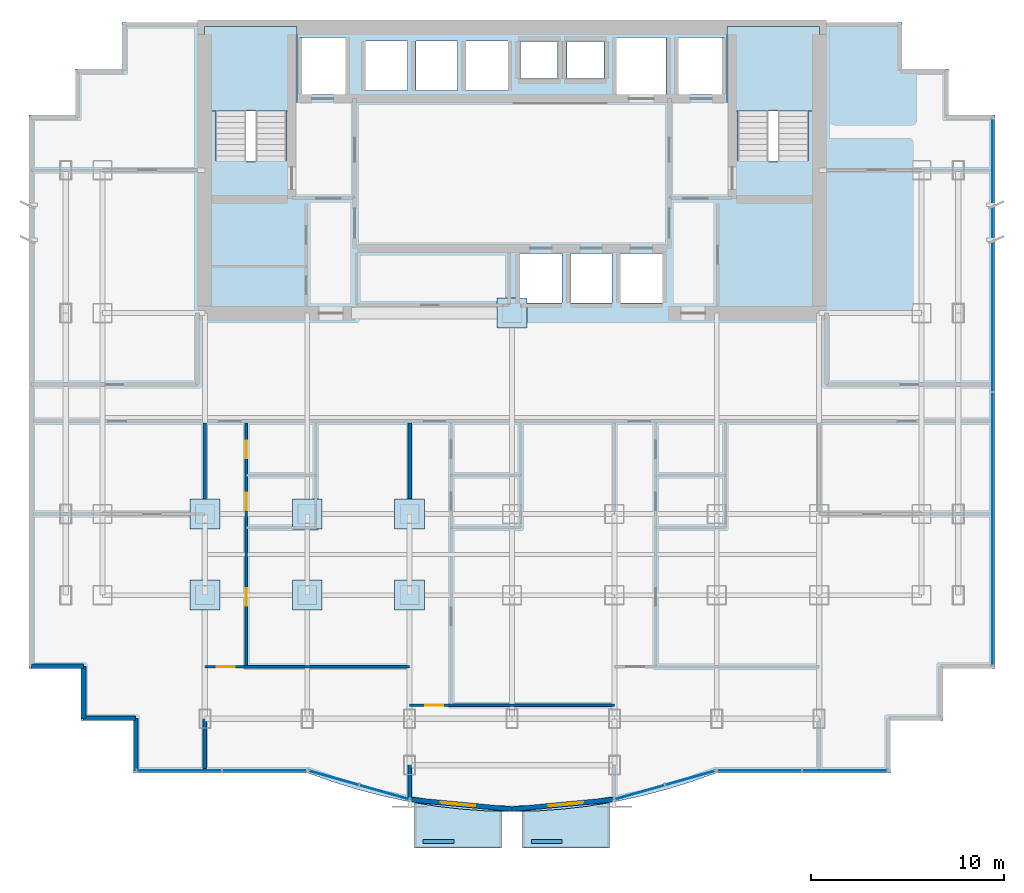
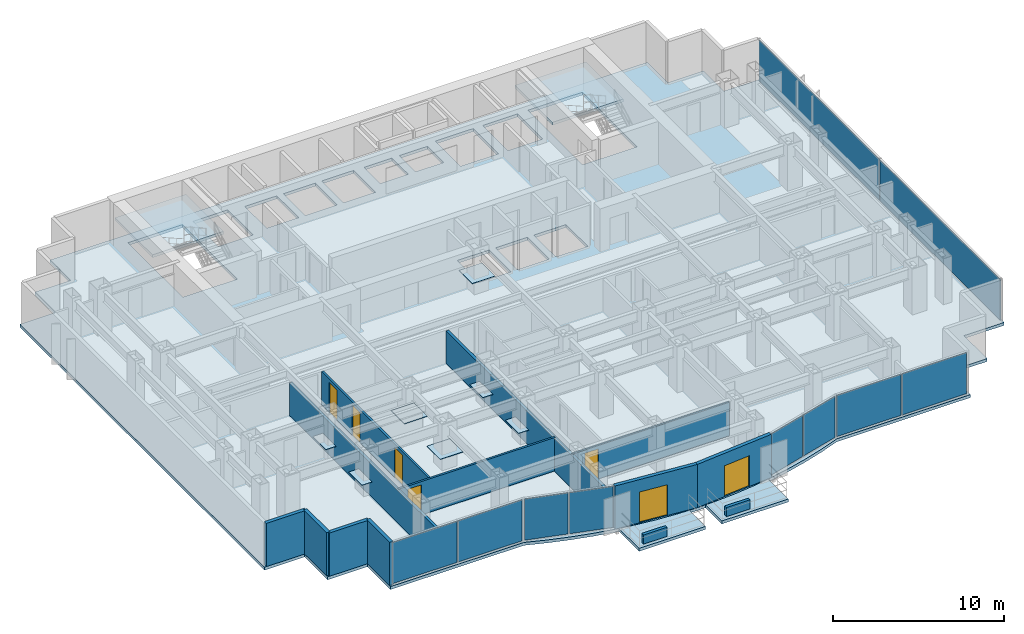
# One storey, part 6 of 11: 17 plates, 13 walls, 7 doors, 5 slabs, 7 openings, 7 elements without a shape of their own.
"""IFC4 building model written with IfcOpenShell, lengths in metres."""

from ifc_helpers import new_model, si_unit, direction, frame, frame_2d, origin, origin_2d, place, context, subcontext, project, spatial, polyline, rectangle, outline, extrude, source, transform, mapped, material, layer, layer_set, type_object, element, fill, aggregate, save


model = new_model("IFC4")

# Units and contexts
model_context = context("Model", 3, precision=1e-05, world=origin(), true_north=direction((0.0, 1.0)))
body_context = subcontext(model_context, "Body", "Model", "MODEL_VIEW")
ifc_project = project(units=[si_unit("LENGTHUNIT", "METRE"), si_unit("AREAUNIT", "SQUARE_METRE"), si_unit("VOLUMEUNIT", "CUBIC_METRE"), si_unit("PLANEANGLEUNIT", "RADIAN"), si_unit("MASSUNIT", "GRAM", prefix="KILO")], contexts=[model_context])

# Site, building, storey
site_placement = place(None, origin())
site = spatial("IfcSite", under=ifc_project, at=site_placement, CompositionType="ELEMENT")
building_placement = place(site_placement, origin())
building = spatial("IfcBuilding", under=site, at=building_placement, Name="Qianlan Lanfeng Residences", CompositionType="ELEMENT")
storey_placement = place(building_placement, frame((0.0, 0.0, 104.800048828125)))
storey = spatial("IfcBuildingStorey", under=building, at=storey_placement, Name="L28", CompositionType="ELEMENT", Elevation=104.800048828125)

# Slabs
ifc_material_1 = material(Name="Concrete C42", Category="concrete")
ifc_layer_1 = layer(ifc_material_1, 0.2099609375)
ifc_layer_set_1 = layer_set([ifc_layer_1], Name="Concrete C42")
slab_type_1 = type_object("IfcSlabType", Name="S-BAL-210", PredefinedType="FLOOR", material=ifc_layer_set_1)
slab_1_placement = place(storey_placement, frame((0.0, 0.0, -0.2099609375)))
element("IfcSlab", 1, at=slab_1_placement, inside=storey, type_object=slab_type_1, Name="L28 Planted Tree Balcony Slab SB-W", PredefinedType="FLOOR", context=body_context, shape_type="SweptSolid", body=[
    extrude(outline(polyline([(25.949951171875, -0.5869140625), (25.177001953125, -0.569091796875), (23.85498046875, -0.47509765625), (22.531982421875, -0.319091796875), (21.449951171875, -0.139892578125), (21.449951171875, -2.5), (25.949951171875, -2.5), (25.949951171875, -0.5869140625)])), origin(), (0.0, 0.0, 1.0), 0.2099609375),
])
slab_2_placement = place(storey_placement, frame((0.0, 0.0, -0.2099609375)))
element("IfcSlab", 2, at=slab_2_placement, inside=storey, type_object=slab_type_1, Name="L28 Planted Tree Balcony Slab SB-E", PredefinedType="FLOOR", context=body_context, shape_type="SweptSolid", body=[
    extrude(outline(polyline([(31.550048828125, -0.139892578125), (30.467041015625, -0.319091796875), (29.14501953125, -0.47509765625), (27.822021484375, -0.569091796875), (27.050048828125, -0.5869140625), (27.050048828125, -2.5), (31.550048828125, -2.5), (31.550048828125, -0.139892578125)])), origin(), (0.0, 0.0, 1.0), 0.2099609375),
])
ifc_layer_2 = layer(ifc_material_1, 0.2099609375)
ifc_layer_set_2 = layer_set([ifc_layer_2], Name="Concrete C42")
slab_type_2 = type_object("IfcSlabType", Name="S-FL-210", PredefinedType="FLOOR", material=ifc_layer_set_2)
slab_3_placement = place(storey_placement, frame((0.0, 0.0, -0.2099609375)))
element("IfcSlab", 3, at=slab_3_placement, inside=storey, type_object=slab_type_2, Name="L28 Structural Floor Slab", PredefinedType="FLOOR", context=body_context, shape_type="SweptSolid", body=[
    extrude(outline(polyline([(1.5, 6.800048828125), (4.199951171875, 6.800048828125), (4.199951171875, 4.10009765625), (6.89990234375, 4.10009765625), (6.89990234375, 1.39990234375), (15.919921875, 1.39990234375), (17.241943359375, 0.930908203125), (18.56494140625, 0.52490234375), (19.886962890625, 0.180908203125), (21.2099609375, -0.10009765625), (22.531982421875, -0.319091796875), (23.85498046875, -0.47509765625), (25.177001953125, -0.569091796875), (26.5, -0.60009765625), (27.822021484375, -0.569091796875), (29.14501953125, -0.47509765625), (30.467041015625, -0.319091796875), (31.7900390625, -0.10009765625), (33.112060546875, 0.180908203125), (34.43505859375, 0.52490234375), (35.758056640625, 0.930908203125), (37.080078125, 1.39990234375), (46.10009765625, 1.39990234375), (46.10009765625, 4.10009765625), (48.800048828125, 4.10009765625), (48.800048828125, 6.800048828125), (51.5, 6.800048828125), (51.5, 35.449951171875), (49.10009765625, 35.449951171875), (49.10009765625, 37.85009765625), (46.699951171875, 37.85009765625), (46.699951171875, 40.25), (6.300048828125, 40.25), (6.300048828125, 37.85009765625), (3.89990234375, 37.85009765625), (3.89990234375, 35.449951171875), (1.5, 35.449951171875), (1.5, 6.800048828125)]), holes=[polyline([(11.139892578125, 33.080078125), (11.139892578125, 39.5), (14.820068359375, 39.5), (14.820068359375, 33.080078125), (11.139892578125, 33.080078125)]), polyline([(38.179931640625, 33.080078125), (38.179931640625, 39.5), (41.860107421875, 39.5), (41.860107421875, 33.080078125), (38.179931640625, 33.080078125)]), polyline([(15.52001953125, 36.52001953125), (15.52001953125, 39.47998046875), (17.8798828125, 39.47998046875), (17.8798828125, 36.52001953125), (15.52001953125, 36.52001953125)]), polyline([(35.1201171875, 36.52001953125), (35.1201171875, 39.47998046875), (37.47998046875, 39.47998046875), (37.47998046875, 36.52001953125), (35.1201171875, 36.52001953125)]), polyline([(31.919921875, 36.52001953125), (31.919921875, 39.47998046875), (34.47998046875, 39.47998046875), (34.47998046875, 36.52001953125), (31.919921875, 36.52001953125)]), polyline([(26.919921875, 25.719970703125), (26.919921875, 28.280029296875), (29.080078125, 28.280029296875), (29.080078125, 25.719970703125), (26.919921875, 25.719970703125)]), polyline([(29.52001953125, 25.719970703125), (29.52001953125, 28.280029296875), (31.679931640625, 28.280029296875), (31.679931640625, 25.719970703125), (29.52001953125, 25.719970703125)]), polyline([(32.1201171875, 25.719970703125), (32.1201171875, 28.280029296875), (34.280029296875, 28.280029296875), (34.280029296875, 25.719970703125), (32.1201171875, 25.719970703125)]), polyline([(18.919921875, 36.719970703125), (18.919921875, 39.280029296875), (21.080078125, 39.280029296875), (21.080078125, 36.719970703125), (18.919921875, 36.719970703125)]), polyline([(21.52001953125, 36.719970703125), (21.52001953125, 39.280029296875), (23.679931640625, 39.280029296875), (23.679931640625, 36.719970703125), (21.52001953125, 36.719970703125)]), polyline([(24.1201171875, 36.719970703125), (24.1201171875, 39.280029296875), (26.280029296875, 39.280029296875), (26.280029296875, 36.719970703125), (24.1201171875, 36.719970703125)]), polyline([(26.949951171875, 37.35009765625), (26.949951171875, 39.25), (28.85009765625, 39.25), (28.85009765625, 37.35009765625), (26.949951171875, 37.35009765625)]), polyline([(29.35009765625, 37.35009765625), (29.35009765625, 39.25), (31.25, 39.25), (31.25, 37.35009765625), (29.35009765625, 37.35009765625)])]), origin(), (0.0, 0.0, 1.0), 0.2099609375),
])

# Stair, slab
stair_type = type_object("IfcStairType", Name="STR-MAIN", PredefinedType="HALF_TURN_STAIR", material=ifc_material_1)
stair_1_placement = place(storey_placement, origin())
stair_1 = element("IfcStair", 4, at=stair_1_placement, inside=storey, type_object=stair_type, Name="L28 Exit Stair ST-1", PredefinedType="HALF_TURN_STAIR")
ifc_layer_3 = layer(ifc_material_1, 0.179931640625)
ifc_layer_set_3 = layer_set([ifc_layer_3], Name="Concrete C42")
slab_type_3 = type_object("IfcSlabType", Name="S-LND-180", PredefinedType="LANDING", material=ifc_layer_set_3)
slab_4_placement = place(storey_placement, frame((0.0, 0.0, 1.449951171875)))
slab_4 = element("IfcSlab", 5, at=slab_4_placement, type_object=slab_type_3, Name="ST-1 landing 1", PredefinedType="LANDING", context=body_context, shape_type="SweptSolid", body=[
    extrude(outline(polyline([(10.580078125, 35.659912109375), (15.3798828125, 35.659912109375), (15.3798828125, 40.050048828125), (10.580078125, 40.050048828125), (10.580078125, 35.659912109375)])), origin(), (0.0, 0.0, 1.0), 0.199951171875),
])
aggregate(stair_1, [slab_4])

stair_2_placement = place(storey_placement, origin())
stair_2 = element("IfcStair", 6, at=stair_2_placement, inside=storey, type_object=stair_type, Name="L28 Exit Stair ST-2", PredefinedType="HALF_TURN_STAIR")
slab_5_placement = place(storey_placement, frame((0.0, 0.0, 1.449951171875)))
slab_5 = element("IfcSlab", 7, at=slab_5_placement, type_object=slab_type_3, Name="ST-2 landing 1", PredefinedType="LANDING", context=body_context, shape_type="SweptSolid", body=[
    extrude(outline(polyline([(37.6201171875, 35.659912109375), (42.419921875, 35.659912109375), (42.419921875, 40.050048828125), (37.6201171875, 40.050048828125), (37.6201171875, 35.659912109375)])), origin(), (0.0, 0.0, 1.0), 0.199951171875),
])
aggregate(stair_2, [slab_5])

# Plates
ifc_material_2 = material(Name="Steel SN490B", Category="steel")
ifc_layer_4 = layer(ifc_material_2, 0.031982421875)
ifc_layer_set_4 = layer_set([ifc_layer_4], Name="Steel SN490B")
plate_type_1 = type_object("IfcPlateType", Name="NP-CAP-32", PredefinedType="USERDEFINED", material=ifc_layer_set_4)
shared_shape_1 = source(origin(), body_context, "Body", "SweptSolid", [
    extrude(rectangle(XDim=1.550048828125, YDim=1.550048828125, at=origin_2d()), origin(), (0.0, 0.0, 1.0), 0.031982421875),
])
for number, where, z_axis, x_axis, name in (
    (8, (26.5, 25.199951171875, 1.083984375), (0.0, 0.0, 1.0), (1.0, 0.0, 0.0), "L28 Column Splice Cap Plate 1"),
    (9, (10.60009765625, 14.800048828125, 1.083984375), (0.0, 0.0, 1.0), (1.0, 0.0, 0.0), "L28 Column Splice Cap Plate 2"),
    (10, (10.60009765625, 10.60009765625, 1.083984375), (0.0, 0.0, 1.0), (1.0, 0.0, 0.0), "L28 Column Splice Cap Plate 3"),
    (11, (15.89990234375, 14.800048828125, 1.083984375), (0.0, 0.0, 1.0), (1.0, 0.0, 0.0), "L28 Column Splice Cap Plate 4"),
    (12, (15.89990234375, 10.60009765625, 1.083984375), (0.0, 0.0, 1.0), (1.0, 0.0, 0.0), "L28 Column Splice Cap Plate 5"),
    (13, (21.199951171875, 14.800048828125, 1.083984375), (0.0, 0.0, 1.0), (1.0, 0.0, 0.0), "L28 Column Splice Cap Plate 6"),
    (14, (21.199951171875, 10.60009765625, 1.083984375), (0.0, 0.0, 1.0), (1.0, 0.0, 0.0), "L28 Column Splice Cap Plate 7"),
):
    element("IfcPlate", number, at=place(storey_placement, frame(where, z_axis=z_axis, x_axis=x_axis)), inside=storey, type_object=plate_type_1, Name=name, ObjectType="SPLICE_PLATE", PredefinedType="USERDEFINED", context=body_context, shape_type="MappedRepresentation", body=[
        mapped(shared_shape_1, transform((0.0, 0.0, 0.0), scale=1.0)),
    ])

# Curtain wall, plates
ifc_material_3 = material(Name="Anodised Bronze Aluminium 6063-T6", Category="aluminium")
ifc_layer_5 = layer(ifc_material_3, 0.219970703125)
ifc_layer_set_5 = layer_set([ifc_layer_5], Name="Anodised Bronze Aluminium 6063-T6")
curtain_wall_type = type_object("IfcCurtainWallType", Name="CW-03", PredefinedType="NOTDEFINED", material=ifc_layer_set_5)
curtain_wall_1_placement = place(storey_placement, origin())
curtain_wall_1 = element("IfcCurtainWall", 15, at=curtain_wall_1_placement, inside=storey, type_object=curtain_wall_type, Name="L28 Unitised Curtain Wall CWR-L28-01 (CW-03)", PredefinedType="NOTDEFINED")
ifc_material_4 = material(Name="Dark Bronze Tinted Insulated Glass", Category="glass")
ifc_layer_6 = layer(ifc_material_4, 0.0380859375)
ifc_layer_set_6 = layer_set([ifc_layer_6], Name="Dark Bronze Tinted Insulated Glass")
plate_type_2 = type_object("IfcPlateType", Name="PNL-GLZ-BRZ", PredefinedType="CURTAIN_PANEL", material=ifc_layer_set_6)
shared_shape_2 = source(origin(), body_context, "Body", "SweptSolid", [
    extrude(rectangle(XDim=4.342529296875, YDim=0.0380859375, at=origin_2d()), origin(), (0.0, 0.0, 1.0), 2.931884765625),
])
plate_1_placement = place(storey_placement, frame((9.270263671875, 1.52001953125, 0.0791015625), z_axis=(0.0, 0.0, 1.0), x_axis=(1.0, 0.0, 0.0)))
plate_1 = element("IfcPlate", 16, at=plate_1_placement, type_object=plate_type_2, Name="CWR-L28-01 Curtain Panel 1", PredefinedType="CURTAIN_PANEL", context=body_context, shape_type="MappedRepresentation", body=[
    mapped(shared_shape_2, transform((0.0, 0.0, 0.0), scale=1.0)),
])
plate_2_placement = place(storey_placement, frame((13.690673828125, 1.52001953125, 0.0791015625), z_axis=(0.0, 0.0, 1.0), x_axis=(1.0, 0.0, 0.0)))
plate_2 = element("IfcPlate", 17, at=plate_2_placement, type_object=plate_type_2, Name="CWR-L28-01 Curtain Panel 2", PredefinedType="CURTAIN_PANEL", context=body_context, shape_type="MappedRepresentation", body=[
    mapped(shared_shape_2, transform((0.0, 0.0, 0.0), scale=1.0)),
])
aggregate(curtain_wall_1, [plate_1, plate_2])

# Curtain wall, plate
curtain_wall_2_placement = place(storey_placement, origin())
curtain_wall_2 = element("IfcCurtainWall", 18, at=curtain_wall_2_placement, inside=storey, type_object=curtain_wall_type, Name="L28 Unitised Curtain Wall CWR-L28-04 (CW-03)", PredefinedType="NOTDEFINED")
plate_3_placement = place(storey_placement, frame((39.30908203125, 1.52001953125, 0.0791015625), z_axis=(0.0, 0.0, 1.0), x_axis=(1.0, 0.0, 0.0)))
plate_3 = element("IfcPlate", 19, at=plate_3_placement, type_object=plate_type_2, Name="CWR-L28-04 Curtain Panel 1", PredefinedType="CURTAIN_PANEL", context=body_context, shape_type="MappedRepresentation", body=[
    mapped(shared_shape_2, transform((0.0, 0.0, 0.0), scale=1.0)),
])

curtain_wall_3_placement = place(storey_placement, origin())
curtain_wall_3 = element("IfcCurtainWall", 20, at=curtain_wall_3_placement, inside=storey, type_object=curtain_wall_type, Name="L28 Unitised Curtain Wall CWR-L28-02 (CW-03)", PredefinedType="NOTDEFINED")
shared_shape_3 = source(origin(), body_context, "Body", "SweptSolid", [
    extrude(rectangle(XDim=2.632080078125, YDim=0.0380859375, at=origin_2d()), origin(), (0.0, 0.0, 1.0), 2.931884765625),
])
plate_4_placement = place(storey_placement, frame((17.282958984375, 1.138916015625, 0.0791015625), z_axis=(0.0, 0.0, 1.0), x_axis=(0.961989074302, -0.273087936247, 0.0)))
plate_4 = element("IfcPlate", 21, at=plate_4_placement, type_object=plate_type_2, Name="CWR-L28-02 Curtain Panel 1", PredefinedType="CURTAIN_PANEL", context=body_context, shape_type="MappedRepresentation", body=[
    mapped(shared_shape_3, transform((0.0, 0.0, 0.0), scale=1.0)),
])

# Curtain wall, plates
curtain_wall_4_placement = place(storey_placement, origin())
curtain_wall_4 = element("IfcCurtainWall", 22, at=curtain_wall_4_placement, inside=storey, type_object=curtain_wall_type, Name="L28 Unitised Curtain Wall CWR-L28-03 (CW-03)", PredefinedType="NOTDEFINED")
plate_5_placement = place(storey_placement, frame((33.110107421875, 0.39892578125, 0.0791015625), z_axis=(0.0, 0.0, 1.0), x_axis=(0.961989074302, 0.273087936247, 0.0)))
plate_5 = element("IfcPlate", 23, at=plate_5_placement, type_object=plate_type_2, Name="CWR-L28-03 Curtain Panel 1", PredefinedType="CURTAIN_PANEL", context=body_context, shape_type="MappedRepresentation", body=[
    mapped(shared_shape_3, transform((0.0, 0.0, 0.0), scale=1.0)),
])
plate_6_placement = place(storey_placement, frame((35.717041015625, 1.138916015625, 0.0791015625), z_axis=(0.0, 0.0, 1.0), x_axis=(0.961989074302, 0.273087936247, 0.0)))
plate_6 = element("IfcPlate", 24, at=plate_6_placement, type_object=plate_type_2, Name="CWR-L28-03 Curtain Panel 2", PredefinedType="CURTAIN_PANEL", context=body_context, shape_type="MappedRepresentation", body=[
    mapped(shared_shape_3, transform((0.0, 0.0, 0.0), scale=1.0)),
])
aggregate(curtain_wall_4, [plate_5, plate_6])

# Plate
ifc_material_5 = material(Name="Perforated Champagne Gold Aluminium Panel", Category="aluminium")
ifc_layer_7 = layer(ifc_material_5, 0.0400390625)
ifc_layer_set_7 = layer_set([ifc_layer_7], Name="Perforated Champagne Gold Aluminium Panel")
plate_type_3 = type_object("IfcPlateType", Name="PNL-PRF-GLD", PredefinedType="CURTAIN_PANEL", material=ifc_layer_set_7)
shared_shape_4 = source(origin(), body_context, "Body", "SweptSolid", [
    extrude(rectangle(XDim=2.632080078125, YDim=0.0400390625, at=origin_2d()), origin(), (0.0, 0.0, 1.0), 2.931884765625),
])
plate_7_placement = place(storey_placement, frame((19.889892578125, 0.39892578125, 0.0791015625), z_axis=(0.0, 0.0, 1.0), x_axis=(0.961989074302, -0.273087936247, 0.0)))
plate_7 = element("IfcPlate", 25, at=plate_7_placement, type_object=plate_type_3, Name="CWR-L28-02 Curtain Panel 2", PredefinedType="CURTAIN_PANEL", context=body_context, shape_type="MappedRepresentation", body=[
    mapped(shared_shape_4, transform((0.0, 0.0, 0.0), scale=1.0)),
])

aggregate(curtain_wall_3, [plate_4, plate_7])

shared_shape_5 = source(origin(), body_context, "Body", "SweptSolid", [
    extrude(rectangle(XDim=4.342529296875, YDim=0.0400390625, at=origin_2d()), origin(), (0.0, 0.0, 1.0), 2.931884765625),
])
plate_8_placement = place(storey_placement, frame((43.729736328125, 1.52001953125, 0.0791015625), z_axis=(0.0, 0.0, 1.0), x_axis=(1.0, 0.0, 0.0)))
plate_8 = element("IfcPlate", 26, at=plate_8_placement, type_object=plate_type_3, Name="CWR-L28-04 Curtain Panel 2", PredefinedType="CURTAIN_PANEL", context=body_context, shape_type="MappedRepresentation", body=[
    mapped(shared_shape_5, transform((0.0, 0.0, 0.0), scale=1.0)),
])

aggregate(curtain_wall_2, [plate_3, plate_8])

# Curtain wall, plates
curtain_wall_5_placement = place(storey_placement, origin())
curtain_wall_5 = element("IfcCurtainWall", 27, at=curtain_wall_5_placement, inside=storey, type_object=curtain_wall_type, Name="L28 Unitised Curtain Wall CWR-L28-05 (CW-03)", PredefinedType="NOTDEFINED")
shared_shape_6 = source(origin(), body_context, "Body", "SweptSolid", [
    extrude(rectangle(XDim=14.0869140625, YDim=0.0380859375, at=origin_2d()), origin(), (0.0, 0.0, 1.0), 2.931884765625),
])
plate_9_placement = place(storey_placement, frame((51.3798828125, 14.04248046875, 0.0791015625), z_axis=(0.0, 0.0, 1.0), x_axis=(0.0, 1.0, 0.0)))
plate_9 = element("IfcPlate", 28, at=plate_9_placement, type_object=plate_type_2, Name="CWR-L28-05 Curtain Panel 1", PredefinedType="CURTAIN_PANEL", context=body_context, shape_type="MappedRepresentation", body=[
    mapped(shared_shape_6, transform((0.0, 0.0, 0.0), scale=1.0)),
])
plate_10_placement = place(storey_placement, frame((51.3798828125, 28.20751953125, 0.0791015625), z_axis=(0.0, 0.0, 1.0), x_axis=(0.0, 1.0, 0.0)))
plate_10 = element("IfcPlate", 29, at=plate_10_placement, type_object=plate_type_2, Name="CWR-L28-05 Curtain Panel 2", PredefinedType="CURTAIN_PANEL", context=body_context, shape_type="MappedRepresentation", body=[
    mapped(shared_shape_6, transform((0.0, 0.0, 0.0), scale=1.0)),
])
aggregate(curtain_wall_5, [plate_9, plate_10])

# Walls
ifc_layer_8 = layer(ifc_material_1, 0.239990234375)
ifc_layer_set_8 = layer_set([ifc_layer_8], Name="Concrete C42")
wall_type_1 = type_object("IfcWallType", Name="EW-240", PredefinedType="SOLIDWALL", material=ifc_layer_set_8)
for number, where, z_axis, x_axis, name in (
    (30, (1.6201171875, 6.919921875, 0.0), (0.0, 0.0, 1.0), (1.0, 0.0, 0.0), "L28 Exterior Facade Spandrel Wall 1"),
    (31, (4.320068359375, 6.919921875, 0.0), (0.0, 0.0, 1.0), (0.0, -1.0, 0.0), "L28 Exterior Facade Spandrel Wall 2"),
    (32, (4.320068359375, 4.219970703125, 0.0), (0.0, 0.0, 1.0), (1.0, 0.0, 0.0), "L28 Exterior Facade Spandrel Wall 3"),
    (33, (7.02001953125, 4.219970703125, 0.0), (0.0, 0.0, 1.0), (0.0, -1.0, 0.0), "L28 Exterior Facade Spandrel Wall 4"),
):
    element("IfcWall", number, at=place(storey_placement, frame(where, z_axis=z_axis, x_axis=x_axis)), inside=storey, type_object=wall_type_1, Name=name, PredefinedType="SOLIDWALL", context=body_context, shape_type="SweptSolid", body=[
        extrude(rectangle(XDim=2.699951171875, YDim=0.239990234375, at=frame_2d((1.35009765625, 0.0))), origin(), (0.0, 0.0, 1.0), 3.08984375),
    ])

# Wall, opening, door
wall_1_placement = place(storey_placement, frame((21.23193359375, 0.01806640625, 0.0), z_axis=(0.0, 0.0, 1.0), x_axis=(0.995560760834, -0.094121046997, 0.0)))
wall_1 = element("IfcWall", 34, at=wall_1_placement, inside=storey, type_object=wall_type_1, Name="L28 Terrace/Balcony Access Exterior Wall 5", PredefinedType="SOLIDWALL", context=body_context, shape_type="SweptSolid", body=[
    extrude(rectangle(XDim=5.29150390625, YDim=0.239990234375, at=frame_2d((2.645751953125, 0.0))), origin(), (0.0, 0.0, 1.0), 3.08984375),
])
opening_1_placement = place(wall_1_placement, frame((1.576904296875, 0.0, 0.0)))
opening_1 = element("IfcOpeningElement", 35, at=opening_1_placement, cuts=wall_1, Name="Opening L28-D-SB-W", PredefinedType="OPENING", context=body_context, shape_type="SweptSolid", body=[
    extrude(rectangle(XDim=1.800048828125, YDim=2.199951171875, at=frame_2d((0.89990234375, 1.10009765625))), frame((0.0, 0.1298828125, 0.0), z_axis=(0.0, -1.0, 0.0), x_axis=(1.0, 0.0, 0.0)), (0.0, 0.0, 1.0), 0.260009765625),
])
ifc_material_6 = material(Name="Anodised Bronze Aluminium Framed Glass", Category="aluminium")
door_type_1 = type_object("IfcDoorType", Name="DT-BAL1", OperationType="NOTDEFINED", PredefinedType="DOOR", material=ifc_material_6)
door_1_placement = place(opening_1_placement, frame((1.800048828125, 0.0, 0.0), z_axis=(0.0, 0.0, 1.0), x_axis=(-1.0, 0.0, 0.0)))
door_1 = element("IfcDoor", 36, at=door_1_placement, inside=storey, type_object=door_type_1, Name="L28 Exterior Access Door SB-W", OperationType="DOUBLE_DOOR_SLIDING", OverallHeight=2.199951171875, OverallWidth=1.800048828125, PredefinedType="DOOR", context=body_context, shape_type="SweptSolid", body=[
    extrude(rectangle(XDim=1.800048828125, YDim=2.199951171875, at=frame_2d((0.89990234375, 1.10009765625))), frame((0.0, 0.02490234375, 0.0), z_axis=(0.0, -1.0, 0.0), x_axis=(1.0, 0.0, 0.0)), (0.0, 0.0, 1.0), 0.050048828125),
])
fill(opening_1, door_1)

wall_2_placement = place(storey_placement, frame((26.5, -0.47998046875, 0.0), z_axis=(0.0, 0.0, 1.0), x_axis=(0.995560760834, 0.094121046997, 0.0)))
wall_2 = element("IfcWall", 37, at=wall_2_placement, inside=storey, type_object=wall_type_1, Name="L28 Terrace/Balcony Access Exterior Wall 6", PredefinedType="SOLIDWALL", context=body_context, shape_type="SweptSolid", body=[
    extrude(rectangle(XDim=5.29150390625, YDim=0.239990234375, at=frame_2d((2.645751953125, 0.0))), origin(), (0.0, 0.0, 1.0), 3.08984375),
])
opening_2_placement = place(wall_2_placement, frame((1.9140625, 0.0, 0.0)))
opening_2 = element("IfcOpeningElement", 38, at=opening_2_placement, cuts=wall_2, Name="Opening L28-D-SB-E", PredefinedType="OPENING", context=body_context, shape_type="SweptSolid", body=[
    extrude(rectangle(XDim=1.800048828125, YDim=2.199951171875, at=frame_2d((0.89990234375, 1.10009765625))), frame((0.0, 0.1298828125, 0.0), z_axis=(0.0, -1.0, 0.0), x_axis=(1.0, 0.0, 0.0)), (0.0, 0.0, 1.0), 0.260009765625),
])
door_2_placement = place(opening_2_placement, frame((1.800048828125, 0.0, 0.0), z_axis=(0.0, 0.0, 1.0), x_axis=(-1.0, 0.0, 0.0)))
door_2 = element("IfcDoor", 39, at=door_2_placement, inside=storey, type_object=door_type_1, Name="L28 Exterior Access Door SB-E", OperationType="DOUBLE_DOOR_SLIDING", OverallHeight=2.199951171875, OverallWidth=1.800048828125, PredefinedType="DOOR", context=body_context, shape_type="SweptSolid", body=[
    extrude(rectangle(XDim=1.800048828125, YDim=2.199951171875, at=frame_2d((0.89990234375, 1.10009765625))), frame((0.0, 0.02490234375, 0.0), z_axis=(0.0, -1.0, 0.0), x_axis=(1.0, 0.0, 0.0)), (0.0, 0.0, 1.0), 0.050048828125),
])
fill(opening_2, door_2)

# Walls
ifc_layer_9 = layer(ifc_material_1, 0.199951171875)
ifc_layer_set_9 = layer_set([ifc_layer_9], Name="Concrete C42")
wall_type_2 = type_object("IfcWallType", Name="PL-TREE-200", PredefinedType="PARAPET", material=ifc_layer_set_9)
for number, where, z_axis, x_axis, name in (
    (40, (21.89990234375, -2.14990234375, 0.0), (0.0, 0.0, 1.0), (1.0, 0.0, 0.0), "L28 Balcony Tree Planter Curb SB-W"),
    (41, (27.5, -2.14990234375, 0.0), (0.0, 0.0, 1.0), (1.0, 0.0, 0.0), "L28 Balcony Tree Planter Curb SB-E"),
):
    element("IfcWall", number, at=place(storey_placement, frame(where, z_axis=z_axis, x_axis=x_axis)), inside=storey, type_object=wall_type_2, Name=name, PredefinedType="PARAPET", context=body_context, shape_type="SweptSolid", body=[
        extrude(rectangle(XDim=1.60009765625, YDim=0.199951171875, at=frame_2d((0.800048828125, 0.0))), origin(), (0.0, 0.0, 1.0), 0.64990234375),
    ])

# Wall, opening, door
ifc_material_7 = material(Name="Moisture-Resistant Gypsum Partition 135 mm")
ifc_layer_10 = layer(ifc_material_7, 0.135009765625)
ifc_layer_set_10 = layer_set([ifc_layer_10], Name="Moisture-Resistant Gypsum Partition 135 mm")
wall_type_3 = type_object("IfcWallType", Name="PW-135", PredefinedType="PARTITIONING", material=ifc_layer_set_10)
wall_3_placement = place(storey_placement, frame((10.60009765625, 6.903076171875, 0.0), z_axis=(0.0, 0.0, 1.0), x_axis=(1.0, 0.0, 0.0)))
wall_3 = element("IfcWall", 42, at=wall_3_placement, inside=storey, type_object=wall_type_3, Name="L28 U01 Living Divider", PredefinedType="PARTITIONING", context=body_context, shape_type="SweptSolid", body=[
    extrude(rectangle(XDim=10.599853515625, YDim=0.135009765625, at=frame_2d((5.2998046875, 0.0))), origin(), (0.0, 0.0, 1.0), 2.3798828125),
])
opening_3_placement = place(wall_3_placement, frame((0.614990234375, 0.0, 0.0)))
opening_3 = element("IfcOpeningElement", 43, at=opening_3_placement, cuts=wall_3, Name="Opening L28-D16", PredefinedType="OPENING", context=body_context, shape_type="SweptSolid", body=[
    extrude(rectangle(XDim=0.919921875, YDim=2.14990234375, at=frame_2d((0.4599609375, 1.074951171875))), frame((0.0, 0.07763671875, 0.0), z_axis=(0.0, -1.0, 0.0), x_axis=(1.0, 0.0, 0.0)), (0.0, 0.0, 1.0), 0.155029296875),
])
ifc_material_8 = material(Name="Glazed Timber Kitchen/Study Door", Category="wood")
door_type_2 = type_object("IfcDoorType", Name="DT-INT", OperationType="NOTDEFINED", PredefinedType="DOOR", material=ifc_material_8)
door_3_placement = place(opening_3_placement, frame((0.919921875, 0.0, 0.0), z_axis=(0.0, 0.0, 1.0), x_axis=(-1.0, 0.0, 0.0)))
door_3 = element("IfcDoor", 44, at=door_3_placement, inside=storey, type_object=door_type_2, Name="L28 U01 Living Passage Door L28-D16 (DT-INT)", OperationType="SINGLE_SWING_RIGHT", OverallHeight=2.14990234375, OverallWidth=0.919921875, PredefinedType="DOOR", context=body_context, shape_type="SweptSolid", body=[
    extrude(rectangle(XDim=0.919921875, YDim=2.14990234375, at=frame_2d((0.4599609375, 1.074951171875))), frame((0.0, 0.02490234375, 0.0), z_axis=(0.0, -1.0, 0.0), x_axis=(1.0, 0.0, 0.0)), (0.0, 0.0, 1.0), 0.050048828125),
])
fill(opening_3, door_3)

# Wall, openings, doors
wall_4_placement = place(storey_placement, frame((12.75, 6.903076171875, 0.0), z_axis=(0.0, 0.0, 1.0), x_axis=(0.0, 1.0, 0.0)))
wall_4 = element("IfcWall", 45, at=wall_4_placement, inside=storey, type_object=wall_type_3, Name="L28 U01 Entry Hall Spine", PredefinedType="PARTITIONING", context=body_context, shape_type="SweptSolid", body=[
    extrude(rectangle(XDim=12.596923828125, YDim=0.135009765625, at=frame_2d((6.29833984375, 0.0))), origin(), (0.0, 0.0, 1.0), 2.3798828125),
])
opening_4_placement = place(wall_4_placement, frame((3.138916015625, 0.0, 0.0)))
opening_4 = element("IfcOpeningElement", 46, at=opening_4_placement, cuts=wall_4, Name="Opening L28-D17", PredefinedType="OPENING", context=body_context, shape_type="SweptSolid", body=[
    extrude(rectangle(XDim=0.919921875, YDim=2.14990234375, at=frame_2d((0.4599609375, 1.074951171875))), frame((0.0, 0.07763671875, 0.0), z_axis=(0.0, -1.0, 0.0), x_axis=(1.0, 0.0, 0.0)), (0.0, 0.0, 1.0), 0.155029296875),
])
opening_5_placement = place(wall_4_placement, frame((8.0869140625, 0.0, 0.0)))
opening_5 = element("IfcOpeningElement", 47, at=opening_5_placement, cuts=wall_4, Name="Opening L28-D18", PredefinedType="OPENING", context=body_context, shape_type="SweptSolid", body=[
    extrude(rectangle(XDim=0.919921875, YDim=2.14990234375, at=frame_2d((0.4599609375, 1.074951171875))), frame((0.0, 0.07763671875, 0.0), z_axis=(0.0, -1.0, 0.0), x_axis=(1.0, 0.0, 0.0)), (0.0, 0.0, 1.0), 0.155029296875),
])
opening_6_placement = place(wall_4_placement, frame((10.797119140625, 0.0, 0.0)))
opening_6 = element("IfcOpeningElement", 48, at=opening_6_placement, cuts=wall_4, Name="Opening L28-D19", PredefinedType="OPENING", context=body_context, shape_type="SweptSolid", body=[
    extrude(rectangle(XDim=0.89990234375, YDim=2.14990234375, at=frame_2d((0.449951171875, 1.074951171875))), frame((0.0, 0.07763671875, 0.0), z_axis=(0.0, -1.0, 0.0), x_axis=(1.0, 0.0, 0.0)), (0.0, 0.0, 1.0), 0.155029296875),
])
door_4_placement = place(opening_4_placement, origin())
door_4 = element("IfcDoor", 49, at=door_4_placement, inside=storey, type_object=door_type_2, Name="L28 U01 Study Door L28-D17 (DT-INT)", OperationType="SINGLE_SWING_LEFT", OverallHeight=2.14990234375, OverallWidth=0.919921875, PredefinedType="DOOR", context=body_context, shape_type="SweptSolid", body=[
    extrude(rectangle(XDim=0.919921875, YDim=2.14990234375, at=frame_2d((0.4599609375, 1.074951171875))), frame((0.0, 0.02490234375, 0.0), z_axis=(0.0, -1.0, 0.0), x_axis=(1.0, 0.0, 0.0)), (0.0, 0.0, 1.0), 0.050048828125),
])
fill(opening_4, door_4)
door_5_placement = place(opening_5_placement, origin())
door_5 = element("IfcDoor", 50, at=door_5_placement, inside=storey, type_object=door_type_2, Name="L28 U01 Kitchen Door L28-D18 (DT-INT)", OperationType="SINGLE_SWING_RIGHT", OverallHeight=2.14990234375, OverallWidth=0.919921875, PredefinedType="DOOR", context=body_context, shape_type="SweptSolid", body=[
    extrude(rectangle(XDim=0.919921875, YDim=2.14990234375, at=frame_2d((0.4599609375, 1.074951171875))), frame((0.0, 0.02490234375, 0.0), z_axis=(0.0, -1.0, 0.0), x_axis=(1.0, 0.0, 0.0)), (0.0, 0.0, 1.0), 0.050048828125),
])
fill(opening_5, door_5)
ifc_material_9 = material(Name="Moisture-Resistant Timber Leaf", Category="wood")
door_type_3 = type_object("IfcDoorType", Name="DT-WC", OperationType="NOTDEFINED", PredefinedType="DOOR", material=ifc_material_9)
door_6_placement = place(opening_6_placement, origin())
door_6 = element("IfcDoor", 51, at=door_6_placement, inside=storey, type_object=door_type_3, Name="L28 U01 Bathroom Door L28-D19 (DT-WC)", OperationType="SINGLE_SWING_LEFT", OverallHeight=2.14990234375, OverallWidth=0.89990234375, PredefinedType="DOOR", context=body_context, shape_type="SweptSolid", body=[
    extrude(rectangle(XDim=0.89990234375, YDim=2.14990234375, at=frame_2d((0.449951171875, 1.074951171875))), frame((0.0, 0.02490234375, 0.0), z_axis=(0.0, -1.0, 0.0), x_axis=(1.0, 0.0, 0.0)), (0.0, 0.0, 1.0), 0.050048828125),
])
fill(opening_6, door_6)

# Wall, opening, door
wall_5_placement = place(storey_placement, frame((21.199951171875, 4.903076171875, 0.0), z_axis=(0.0, 0.0, 1.0), x_axis=(1.0, 0.0, 0.0)))
wall_5 = element("IfcWall", 52, at=wall_5_placement, inside=storey, type_object=wall_type_3, Name="L28 U02 Living Divider", PredefinedType="PARTITIONING", context=body_context, shape_type="SweptSolid", body=[
    extrude(rectangle(XDim=10.60009765625, YDim=0.135009765625, at=frame_2d((5.300048828125, 0.0))), origin(), (0.0, 0.0, 1.0), 2.3798828125),
])
opening_7_placement = place(wall_5_placement, frame((0.81494140625, 0.0, 0.0)))
opening_7 = element("IfcOpeningElement", 53, at=opening_7_placement, cuts=wall_5, Name="Opening L28-D21", PredefinedType="OPENING", context=body_context, shape_type="SweptSolid", body=[
    extrude(rectangle(XDim=0.919921875, YDim=2.14990234375, at=frame_2d((0.4599609375, 1.074951171875))), frame((0.0, 0.07763671875, 0.0), z_axis=(0.0, -1.0, 0.0), x_axis=(1.0, 0.0, 0.0)), (0.0, 0.0, 1.0), 0.155029296875),
])
door_7_placement = place(opening_7_placement, origin())
door_7 = element("IfcDoor", 54, at=door_7_placement, inside=storey, type_object=door_type_2, Name="L28 U02 Living Passage Door L28-D21 (DT-INT)", OperationType="SINGLE_SWING_LEFT", OverallHeight=2.14990234375, OverallWidth=0.919921875, PredefinedType="DOOR", context=body_context, shape_type="SweptSolid", body=[
    extrude(rectangle(XDim=0.919921875, YDim=2.14990234375, at=frame_2d((0.4599609375, 1.074951171875))), frame((0.0, 0.02490234375, 0.0), z_axis=(0.0, -1.0, 0.0), x_axis=(1.0, 0.0, 0.0)), (0.0, 0.0, 1.0), 0.050048828125),
])
fill(opening_7, door_7)

# Walls
ifc_material_10 = material(Name="Double-Layer Acoustic Gypsum Stud Wall 180 mm")
ifc_layer_11 = layer(ifc_material_10, 0.179931640625)
ifc_layer_set_11 = layer_set([ifc_layer_11], Name="Double-Layer Acoustic Gypsum Stud Wall 180 mm")
wall_type_4 = type_object("IfcWallType", Name="PW-180", PredefinedType="PARTITIONING", material=ifc_layer_set_11)
wall_6_placement = place(storey_placement, frame((10.60009765625, 1.6201171875, 0.0), z_axis=(0.0, 0.0, 1.0), x_axis=(0.0, 1.0, 0.0)))
element("IfcWall", 55, at=wall_6_placement, inside=storey, type_object=wall_type_4, Name="L28 Wing Boundary Party Wall W0", PredefinedType="PARTITIONING", context=body_context, shape_type="SweptSolid", body=[
    extrude(rectangle(XDim=17.8798828125, YDim=0.179931640625, at=frame_2d((8.93994140625, 0.0))), origin(), (0.0, 0.0, 1.0), 2.3349609375),
])
wall_7_placement = place(storey_placement, frame((21.199951171875, 0.126953125, 0.0), z_axis=(0.0, 0.0, 1.0), x_axis=(0.0, 1.0, 0.0)))
element("IfcWall", 56, at=wall_7_placement, inside=storey, type_object=wall_type_4, Name="L28 Inter-Tenancy Party Wall 2", PredefinedType="PARTITIONING", context=body_context, shape_type="SweptSolid", body=[
    extrude(rectangle(XDim=19.373046875, YDim=0.179931640625, at=frame_2d((9.6865234375, 0.0))), origin(), (0.0, 0.0, 1.0), 2.3349609375),
])

save(model, "model.ifc")
